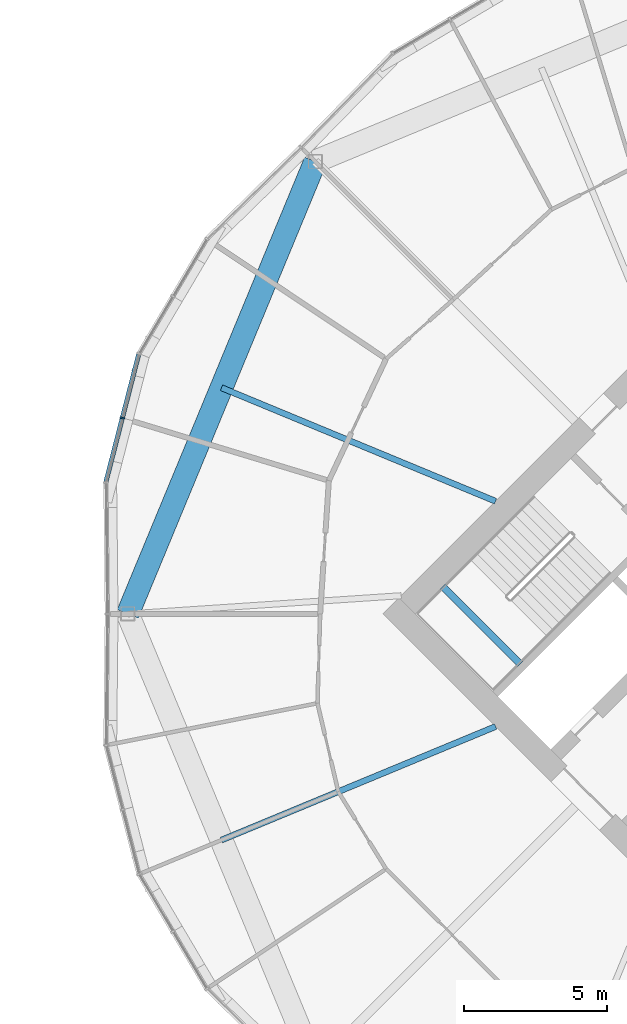
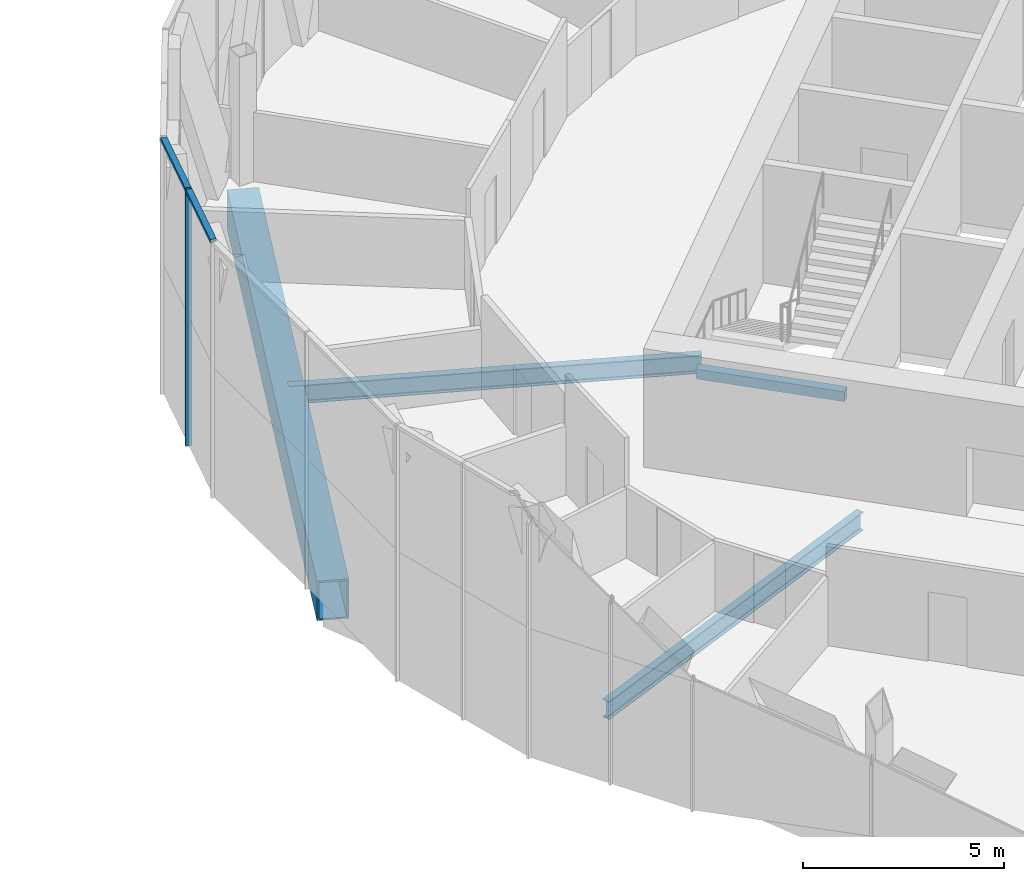
# One storey, part 11 of 27: 4 beams, 3 members, 1 element without a shape of its own.
"""IFC4 building model written with IfcOpenShell, lengths in metres."""

import ifcopenshell
import ifcopenshell.guid

model = None  # the IFC model being written
_history = None  # IfcOwnerHistory: only IFC2X3 demands one
_inside = {}  # id of a spatial element -> (the spatial element, [elements in it])
_under = {}  # id of a project, library or spatial element -> (it, [spatial elements below it])
_declared = {}  # id of a project -> (the project, [libraries it declares])
_typed = {}  # id of a type object -> (the type object, [elements of that type])
_made_of = {}  # id of a material, layer set ... -> (it, [elements and type objects made of it])


def new_model(schema):
    """Start an empty IFC model of exactly this schema.

    Asked for "IFC4X3", IfcOpenShell would pick the latest addendum, in which some entities
    have other attributes; the version numbers below select the first issue.
    IFC2X3 requires an IfcOwnerHistory on every rooted entity: one is made here for all.
    """
    global model, _history
    if schema == "IFC4X3":
        model = ifcopenshell.file(schema_version=(4, 3, 0, 0))
    else:
        model = ifcopenshell.file(schema=schema)
    _inside.clear()
    _under.clear()
    _declared.clear()
    _typed.clear()
    _made_of.clear()
    _history = None
    if model.schema == "IFC2X3":
        org = make("IfcOrganization", Name="unknown")
        user = make(
            "IfcPersonAndOrganization",
            ThePerson=make("IfcPerson", FamilyName="unknown"),
            TheOrganization=org,
        )
        app = make(
            "IfcApplication",
            ApplicationDeveloper=org,
            Version="unknown",
            ApplicationFullName="unknown",
            ApplicationIdentifier="unknown",
        )
        _history = make(
            "IfcOwnerHistory",
            OwningUser=user,
            OwningApplication=app,
            ChangeAction="ADDED",
            CreationDate=0,
        )
    return model


def make(cls, **values):
    """One entity of the class cls with the attributes given. An attribute that is None is left unset."""
    return model.create_entity(
        cls, **{name: value for name, value in values.items() if value is not None}
    )


def rooted(cls, **values):
    """An entity with a GlobalId (a new one), such as an element, a storey or a relation."""
    return make(cls, GlobalId=ifcopenshell.guid.new(), OwnerHistory=_history, **values)


def si_unit(unit_type, name, prefix=None):
    """IfcSIUnit, for example si_unit("LENGTHUNIT", "METRE", prefix="MILLI")."""
    return make("IfcSIUnit", UnitType=unit_type, Prefix=prefix, Name=name)


def assignment(units):
    """IfcUnitAssignment: the units of a project."""
    return None if units is None else make("IfcUnitAssignment", Units=units)


def point(xyz):
    """IfcCartesianPoint."""
    return None if xyz is None else make("IfcCartesianPoint", Coordinates=xyz)


def direction(xyz):
    """IfcDirection."""
    return None if xyz is None else make("IfcDirection", DirectionRatios=xyz)


def frame(location, z_axis=None, x_axis=None):
    """IfcAxis2Placement3D, a coordinate frame: its origin and axes. An axis left out is left unset."""
    return make(
        "IfcAxis2Placement3D",
        Location=point(location),
        Axis=direction(z_axis),
        RefDirection=direction(x_axis),
    )


def frame_2d(location, x_axis=None):
    """IfcAxis2Placement2D, a coordinate frame in the plane: its origin and x axis."""
    return make(
        "IfcAxis2Placement2D", Location=point(location), RefDirection=direction(x_axis)
    )


def origin():
    """The frame at (0, 0, 0) with its axes left unset."""
    return frame((0.0, 0.0, 0.0))


def origin_2d():
    """The frame at (0, 0) in the plane with its x axis left unset."""
    return frame_2d((0.0, 0.0))


def place(relative_to, where):
    """IfcLocalPlacement: puts the frame where relative to a parent placement (None: the world)."""
    return make(
        "IfcLocalPlacement", PlacementRelTo=relative_to, RelativePlacement=where
    )


def context(
    kind, dimensions, precision=None, world=None, true_north=None, identifier=None
):
    """IfcGeometricRepresentationContext, for example the 3D "Model" context."""
    return make(
        "IfcGeometricRepresentationContext",
        ContextIdentifier=identifier,
        ContextType=kind,
        CoordinateSpaceDimension=dimensions,
        Precision=precision,
        WorldCoordinateSystem=world,
        TrueNorth=true_north,
    )


def subcontext(parent, identifier, kind, view, scale=None):
    """IfcGeometricRepresentationSubContext, for example "Body" below "Model"."""
    return make(
        "IfcGeometricRepresentationSubContext",
        ContextIdentifier=identifier,
        ContextType=kind,
        ParentContext=parent,
        TargetScale=scale,
        TargetView=view,
    )


def project(units=None, contexts=None):
    """IfcProject with its units and contexts."""
    return rooted(
        "IfcProject",
        Name="project",
        RepresentationContexts=contexts,
        UnitsInContext=assignment(units),
    )


def spatial(cls, under=None, at=None, **own):
    """A site, building, storey or space (cls), placed at a placement, below another one or the project."""
    s = rooted(cls, ObjectPlacement=at, **own)
    if under is not None:
        _under.setdefault(under.id(), (under, []))[1].append(s)
    return s


def profile(cls, at=None, kind="AREA", **sizes):
    """A parametric profile (cls). Its sizes go by their IFC names, for example OverallWidth=200.0."""
    return make(cls, ProfileType=kind, Position=at, **sizes)


def rectangle(**sizes):
    """IfcRectangleProfileDef."""
    return profile("IfcRectangleProfileDef", **sizes)


def hollow_rectangle(**sizes):
    """IfcRectangleHollowProfileDef."""
    return profile("IfcRectangleHollowProfileDef", **sizes)


def i_section(**sizes):
    """IfcIShapeProfileDef."""
    return profile("IfcIShapeProfileDef", **sizes)


def extrude(swept, where, along, depth):
    """IfcExtrudedAreaSolid: the profile swept, set in the frame where, extruded along a direction by depth."""
    return make(
        "IfcExtrudedAreaSolid",
        SweptArea=swept,
        Position=where,
        ExtrudedDirection=direction(along),
        Depth=depth,
    )


def shape(context_of_items, identifier, shape_type, items):
    """IfcShapeRepresentation: the items that make up one representation, for example the "Body"."""
    return make(
        "IfcShapeRepresentation",
        ContextOfItems=context_of_items,
        RepresentationIdentifier=identifier,
        RepresentationType=shape_type,
        Items=items,
    )


def material(Name=None, Category=None):
    """IfcMaterial."""
    return make("IfcMaterial", Name=Name, Category=Category)


def material_profile(
    of_material, cross_section, Name=None, Category=None, Priority=None
):
    """IfcMaterialProfile: a cross section and its material."""
    return make(
        "IfcMaterialProfile",
        Name=Name,
        Material=of_material,
        Profile=cross_section,
        Priority=Priority,
        Category=Category,
    )


def profile_set(profiles, Name=None, composite=None):
    """IfcMaterialProfileSet."""
    return make(
        "IfcMaterialProfileSet",
        Name=Name,
        MaterialProfiles=profiles,
        CompositeProfile=composite,
    )


def made_of(thing, what):
    """Note that an element or type object is made of a material, layer set ...; save() writes the relation."""
    if what is not None:
        _made_of.setdefault(what.id(), (what, []))[1].append(thing)
    return thing


def type_object(cls, material=None, **own):
    """A type object (cls), such as IfcWallType, which elements share."""
    return made_of(rooted(cls, **own), material)


def element(
    cls,
    number,
    at=None,
    inside=None,
    cuts=None,
    type_object=None,
    material=None,
    context=None,
    identifier="Body",
    shape_type=None,
    held_by="IfcProductDefinitionShape",
    body=None,
    shapes=None,
    **own,
):
    """One element of the class cls, such as IfcWall. Its Tag is "e" and its number.

    at: its placement. inside: the storey or other place that contains it. cuts: it is an
    opening in that element (IfcRelVoidsElement). A single representation is given by context,
    identifier, shape_type and body (its items); several are given by shapes. held_by: the class
    of the entity that holds the representations. save() writes the other relations.
    """
    e = rooted(cls, Tag="e%d" % number, ObjectPlacement=at, **own)
    if body is not None:
        shapes = [shape(context, identifier, shape_type, body)]
    if shapes is not None:
        e.Representation = make(held_by, Representations=shapes)
    if inside is not None:
        _inside.setdefault(inside.id(), (inside, []))[1].append(e)
    if cuts is not None:
        rooted(
            "IfcRelVoidsElement", RelatingBuildingElement=cuts, RelatedOpeningElement=e
        )
    if type_object is not None:
        _typed.setdefault(type_object.id(), (type_object, []))[1].append(e)
    return made_of(e, material)


def aggregate(whole, parts):
    """IfcRelAggregates: a whole, such as a stair, and the parts it consists of."""
    return rooted("IfcRelAggregates", RelatingObject=whole, RelatedObjects=parts)


def save(model, path):
    """Write the relations noted so far, then the file.

    IfcRelAggregates (storeys below a building ...), IfcRelContainedInSpatialStructure (elements
    in a storey), IfcRelDefinesByType, IfcRelAssociatesMaterial and IfcRelDeclares: one each for
    every whole, place, type object, material and project.
    """
    for whole, parts in _under.values():
        aggregate(whole, parts)
    for where, things in _inside.values():
        rooted(
            "IfcRelContainedInSpatialStructure",
            RelatedElements=things,
            RelatingStructure=where,
        )
    for kind, things in _typed.values():
        rooted("IfcRelDefinesByType", RelatedObjects=things, RelatingType=kind)
    for what, things in _made_of.values():
        rooted("IfcRelAssociatesMaterial", RelatedObjects=things, RelatingMaterial=what)
    for by, libraries in _declared.values():
        rooted("IfcRelDeclares", RelatingContext=by, RelatedDefinitions=libraries)
    model.write(path)


model = new_model("IFC4")

# Units and contexts
model_context = context("Model", 3, precision=1e-05, world=origin(), true_north=direction((0.0, 1.0)))
body_context = subcontext(model_context, "Body", "Model", "MODEL_VIEW")
ifc_project = project(units=[si_unit("LENGTHUNIT", "METRE"), si_unit("AREAUNIT", "SQUARE_METRE"), si_unit("VOLUMEUNIT", "CUBIC_METRE"), si_unit("PLANEANGLEUNIT", "RADIAN"), si_unit("MASSUNIT", "GRAM", prefix="KILO")], contexts=[model_context])

# Site, building, storey
site_placement = place(None, origin())
site = spatial("IfcSite", under=ifc_project, at=site_placement, CompositionType="ELEMENT")
building_placement = place(site_placement, origin())
building = spatial("IfcBuilding", under=site, at=building_placement, Name="Ogive Gate Towers", CompositionType="ELEMENT")
storey_placement = place(building_placement, frame((0.0, 0.0, 123.0)))
storey = spatial("IfcBuildingStorey", under=building, at=storey_placement, Name="L29", CompositionType="ELEMENT", Elevation=123.0)

# Beams
ifc_material_1 = material(Name="Steel SM460", Category="steel")
ifc_material_profile_1 = material_profile(ifc_material_1, hollow_rectangle(XDim=0.800048828125, YDim=1.199951171875, WallThickness=0.050048828125, at=origin_2d()), Name="BX 1200x800x50")
ifc_profile_set_1 = profile_set([ifc_material_profile_1], Name="Steel SM460")
beam_type_1 = type_object("IfcBeamType", Name="Edge girder BX 1200x800x50", PredefinedType="BEAM", material=ifc_profile_set_1)
beam_1_placement = place(storey_placement, frame((20.196044921875, 15.803955078125, -0.89990234375), z_axis=(-0.382679941797, -0.923880978344, 0.0), x_axis=(0.923880978344, -0.382679941797, 0.0)))
element("IfcBeam", 1, at=beam_1_placement, inside=storey, type_object=beam_type_1, Name="T2/L29/SBM023", PredefinedType="BEAM", context=body_context, shape_type="SweptSolid", body=[
    extrude(hollow_rectangle(XDim=0.800048828125, YDim=1.199951171875, WallThickness=0.050048828125, at=origin_2d()), origin(), (0.0, 0.0, 1.0), 17.10595703125),
])
ifc_material_2 = material(Name="Concrete C40/50", Category="concrete")
ifc_material_profile_2 = material_profile(ifc_material_2, rectangle(XDim=0.25, YDim=0.300048828125, at=origin_2d()), Name="RC 250x300")
ifc_profile_set_2 = profile_set([ifc_material_profile_2], Name="Concrete C40/50")
beam_type_2 = type_object("IfcBeamType", Name="Landing bearer RC 250x300", PredefinedType="BEAM", material=ifc_profile_set_2)
beam_2_placement = place(storey_placement, frame((24.650390625, 0.9541015625, 1.60009765625), z_axis=(0.707106781187, -0.707106781187, 0.0), x_axis=(0.707106781187, 0.707106781187, 0.0)))
element("IfcBeam", 2, at=beam_2_placement, inside=storey, type_object=beam_type_2, Name="T2 L29 stair 1 landing bearer 1", PredefinedType="BEAM", context=body_context, shape_type="SweptSolid", body=[
    extrude(rectangle(XDim=0.25, YDim=0.300048828125, at=origin_2d()), origin(), (0.0, 0.0, 1.0), 3.824951171875),
])
ifc_material_3 = material(Name="Steel SM355", Category="steel")
ifc_material_profile_3 = material_profile(ifc_material_3, i_section(OverallWidth=0.2099609375, OverallDepth=0.550048828125, WebThickness=0.010986328125, FlangeThickness=0.01708984375, FilletRadius=0.02392578125, at=origin_2d()), Name="IPE 550")
ifc_profile_set_3 = profile_set([ifc_material_profile_3], Name="Steel SM355")
beam_type_3 = type_object("IfcBeamType", Name="Radial floor beam IPE 550", PredefinedType="BEAM", material=ifc_profile_set_3)
for number, where, z_axis, x_axis, name in (
    (3, (26.5, 3.93505859375, -0.574951171875), (-0.92388249198, 0.382676287498, 0.0), (-0.382676287498, -0.92388249198, 0.0), "T2/L29/SBM014"),
    (4, (26.5, -3.93505859375, -0.574951171875), (-0.92388249198, -0.382676287498, 0.0), (0.382676287498, -0.92388249198, 0.0), "T2/L29/SBM016"),
):
    element("IfcBeam", number, at=place(storey_placement, frame(where, z_axis=z_axis, x_axis=x_axis)), inside=storey, type_object=beam_type_3, Name=name, PredefinedType="BEAM", context=body_context, shape_type="SweptSolid", body=[
        extrude(i_section(OverallWidth=0.2099609375, OverallDepth=0.550048828125, WebThickness=0.010986328125, FlangeThickness=0.01708984375, FilletRadius=0.02392578125, at=origin_2d()), origin(), (0.0, 0.0, 1.0), 10.365966796875),
    ])

# Curtain wall, members
ifc_material_4 = material(Name="Pale metal aluminium", Category="aluminium")
curtain_wall_type = type_object("IfcCurtainWallType", Name="Tower unitised wall, low zone", PredefinedType="NOTDEFINED", material=ifc_material_4)
curtain_wall_placement = place(storey_placement, origin())
curtain_wall = element("IfcCurtainWall", 5, at=curtain_wall_placement, inside=storey, type_object=curtain_wall_type, Name="CW1 T2 ECW06", PredefinedType="NOTDEFINED")
ifc_material_profile_4 = material_profile(ifc_material_4, rectangle(XDim=0.159912109375, YDim=0.06005859375, at=origin_2d()), Name="60 x 160 aluminium box")
ifc_profile_set_4 = profile_set([ifc_material_profile_4], Name="Pale metal aluminium")
member_type_1 = type_object("IfcMemberType", Name="Tower unitised wall, low zone mullion 60 x 160", PredefinedType="MULLION", material=ifc_profile_set_4)
member_1_placement = place(storey_placement, frame((13.459228515625, 6.843017578125, -0.300048828125), z_axis=(0.0, 0.0, 1.0), x_axis=(0.968552770699, -0.248808220065, 0.0)))
member_1 = element("IfcMember", 6, at=member_1_placement, type_object=member_type_1, Name="CW1 mullion", PredefinedType="MULLION", context=body_context, shape_type="SweptSolid", body=[
    extrude(rectangle(XDim=0.159912109375, YDim=0.06005859375, at=origin_2d()), origin(), (0.0, 0.0, 1.0), 7.800048828125),
])
ifc_material_profile_5 = material_profile(ifc_material_4, rectangle(XDim=0.159912109375, YDim=0.10009765625, at=origin_2d()), Name="100 x 160 aluminium box")
ifc_profile_set_5 = profile_set([ifc_material_profile_5], Name="Pale metal aluminium")
member_type_2 = type_object("IfcMemberType", Name="Tower unitised wall, low zone transom 100 x 160", PredefinedType="USERDEFINED", material=ifc_profile_set_5)
member_2_placement = place(storey_placement, frame((12.888427734375, 4.62109375, 7.449951171875), z_axis=(0.248873427756, 0.968536017377, 0.0), x_axis=(-0.968536017377, 0.248873427756, 0.0)))
member_2 = element("IfcMember", 7, at=member_2_placement, type_object=member_type_2, Name="CW1 transom", ObjectType="TRANSOM", PredefinedType="USERDEFINED", context=body_context, shape_type="SweptSolid", body=[
    extrude(rectangle(XDim=0.159912109375, YDim=0.10009765625, at=origin_2d()), origin(), (0.0, 0.0, 1.0), 2.26416015625),
])
member_3_placement = place(storey_placement, frame((13.466796875, 6.8720703125, 7.449951171875), z_axis=(0.248772271731, 0.968562004633, 0.0), x_axis=(-0.968562004633, 0.248772271731, 0.0)))
member_3 = element("IfcMember", 8, at=member_3_placement, type_object=member_type_2, Name="CW1 transom", ObjectType="TRANSOM", PredefinedType="USERDEFINED", context=body_context, shape_type="SweptSolid", body=[
    extrude(rectangle(XDim=0.159912109375, YDim=0.10009765625, at=origin_2d()), origin(), (0.0, 0.0, 1.0), 2.26416015625),
])
aggregate(curtain_wall, [member_1, member_2, member_3])

save(model, "model.ifc")
